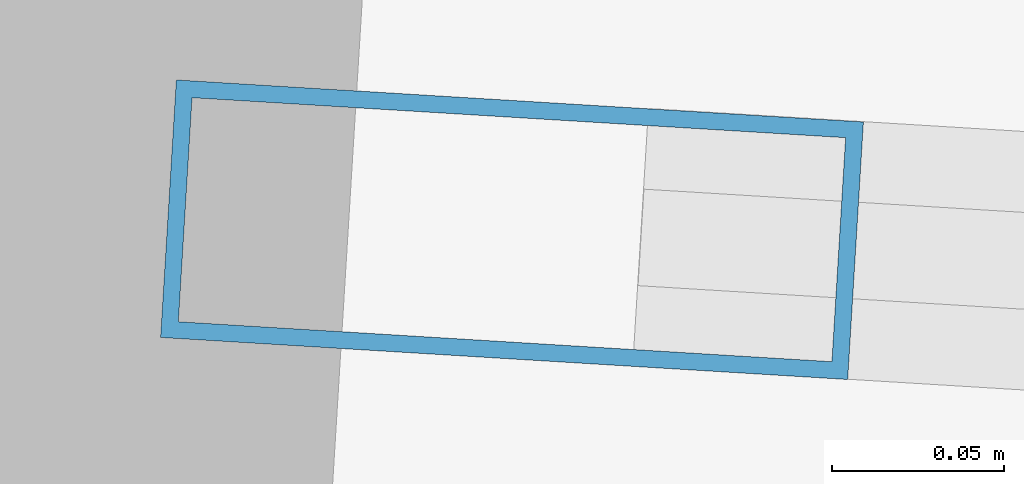
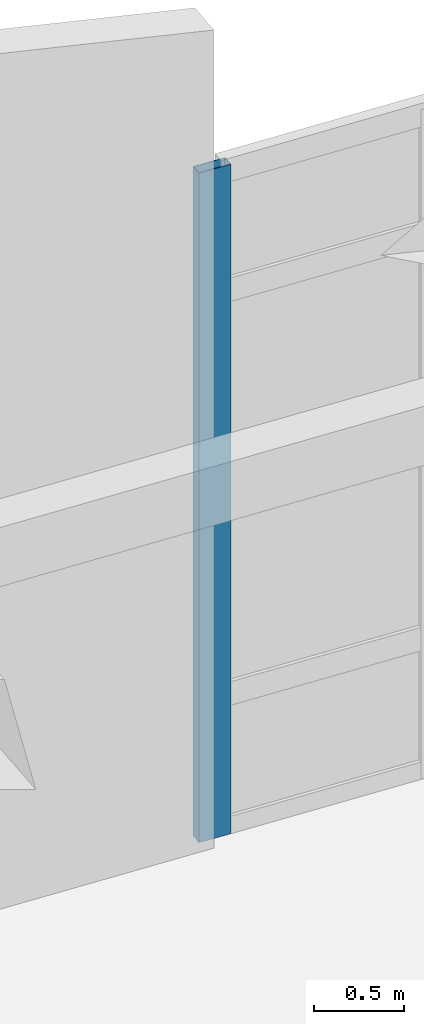
# One storey, part 7 of 45: 1 member, 1 element without a shape of its own.
"""IFC4 building model written with IfcOpenShell, lengths in metres."""

from ifc_helpers import new_model, si_unit, direction, frame, origin, origin_2d, place, context, subcontext, project, spatial, hollow_rectangle, extrude, material, material_profile, profile_set, type_object, element, aggregate, save


model = new_model("IFC4")

# Units and contexts
model_context = context("Model", 3, precision=1e-05, world=origin(), true_north=direction((0.0, 1.0)))
body_context = subcontext(model_context, "Body", "Model", "MODEL_VIEW")
ifc_project = project(units=[si_unit("LENGTHUNIT", "METRE"), si_unit("AREAUNIT", "SQUARE_METRE"), si_unit("VOLUMEUNIT", "CUBIC_METRE"), si_unit("PLANEANGLEUNIT", "RADIAN"), si_unit("MASSUNIT", "GRAM", prefix="KILO")], contexts=[model_context])

# Site, building, storey
site_placement = place(None, origin())
site = spatial("IfcSite", under=ifc_project, at=site_placement, CompositionType="ELEMENT")
building_placement = place(site_placement, origin())
building = spatial("IfcBuilding", under=site, at=building_placement, Name="Kestramere Prow Commons", CompositionType="ELEMENT")
storey_placement = place(building_placement, frame((0.0, 0.0, 31.14990234375)))
storey = spatial("IfcBuildingStorey", under=building, at=storey_placement, Name="L09", CompositionType="ELEMENT", Elevation=31.14990234375)

# Curtain wall, member
ifc_material_1 = material(Name="Anodised Aluminium and Low-E Glass", Category="aluminium")
curtain_wall_type = type_object("IfcCurtainWallType", Name="CW-08 Glazed Curtain Wall 2830x4540", PredefinedType="USERDEFINED", material=ifc_material_1)
curtain_wall_placement = place(storey_placement, origin())
curtain_wall = element("IfcCurtainWall", 1, at=curtain_wall_placement, inside=storey, type_object=curtain_wall_type, Name="Block C L09 Stairwell Vertical Glazing 2", ObjectType="GLAZED CURTAIN WALL", PredefinedType="USERDEFINED")
ifc_material_2 = material(Name="Anodised Aluminium 6063-T6", Category="aluminium")
ifc_material_profile = material_profile(ifc_material_2, hollow_rectangle(XDim=0.074951171875, YDim=0.199951171875, WallThickness=0.0048828125, at=origin_2d()), Name="ALU-MUL 75x200")
ifc_profile_set = profile_set([ifc_material_profile], Name="Anodised Aluminium 6063-T6")
member_type = type_object("IfcMemberType", Name="CW-MUL-75x200", PredefinedType="MULLION", material=ifc_profile_set)
member_placement = place(storey_placement, frame((70.732421875, 65.9755859375, 0.0), z_axis=(0.0, 0.0, 1.0), x_axis=(0.061048420708, 0.99813480569, 0.0)))
member = element("IfcMember", 2, at=member_placement, type_object=member_type, Name="CW-08 mullion 1", PredefinedType="MULLION", context=body_context, shape_type="SweptSolid", body=[
    extrude(hollow_rectangle(XDim=0.074951171875, YDim=0.199951171875, WallThickness=0.0048828125, at=origin_2d()), origin(), (0.0, 0.0, 1.0), 4.535400390625),
])
aggregate(curtain_wall, [member])

save(model, "model.ifc")
